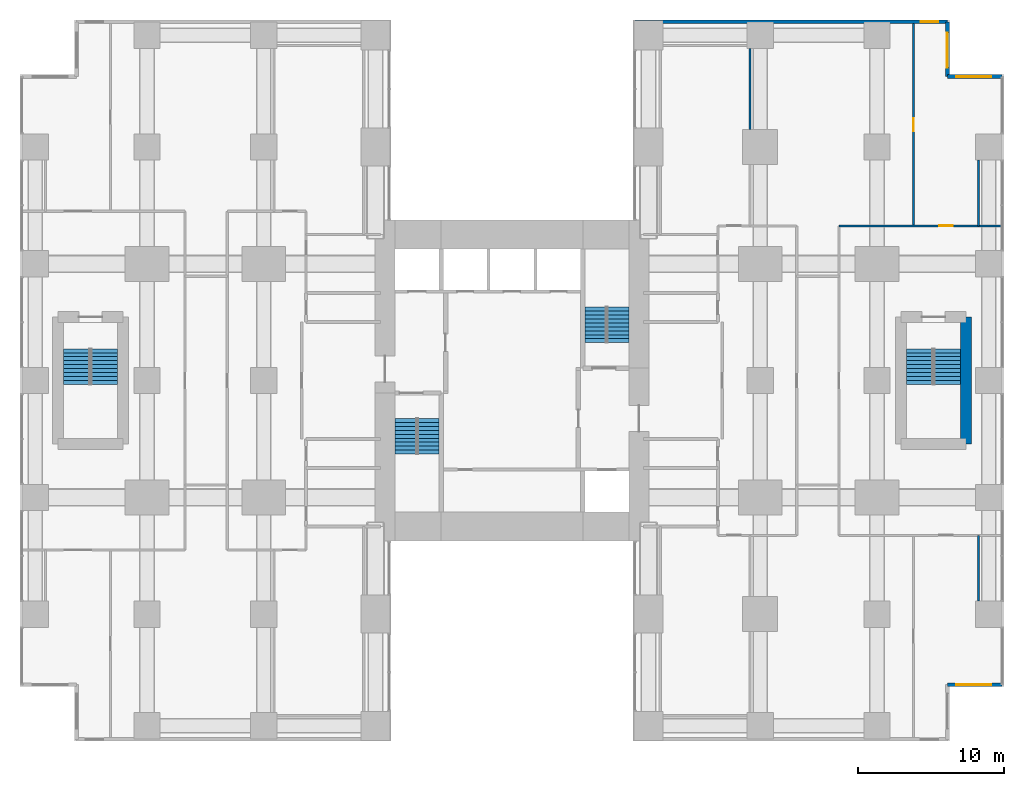
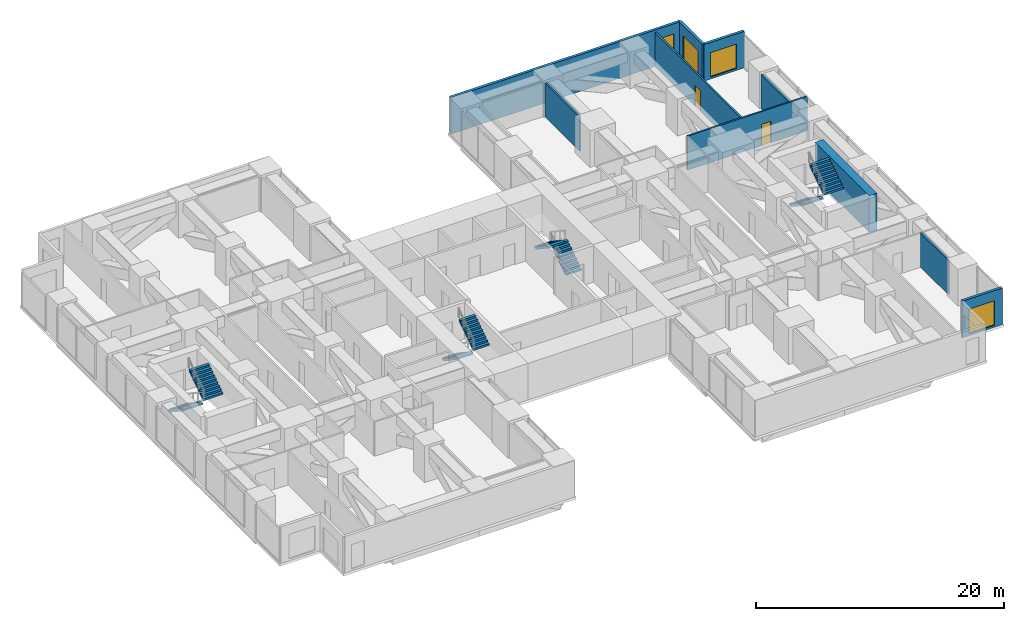
# One storey, part 13 of 14: 10 walls, 8 stair flights, 4 windows, 2 doors, 6 openings, 4 elements without a shape of their own.
"""IFC4 building model written with IfcOpenShell, lengths in metres."""

from ifc_helpers import new_model, si_unit, direction, frame, frame_2d, origin, place, context, subcontext, project, spatial, polyline, rectangle, outline, extrude, material, layer, layer_set, type_object, element, fill, aggregate, save


model = new_model("IFC4")

# Units and contexts
model_context = context("Model", 3, precision=1e-05, world=origin(), true_north=direction((0.0, 1.0)))
body_context = subcontext(model_context, "Body", "Model", "MODEL_VIEW")
ifc_project = project(units=[si_unit("LENGTHUNIT", "METRE"), si_unit("AREAUNIT", "SQUARE_METRE"), si_unit("VOLUMEUNIT", "CUBIC_METRE"), si_unit("PLANEANGLEUNIT", "RADIAN"), si_unit("MASSUNIT", "GRAM", prefix="KILO")], contexts=[model_context])

# Site, building, storey
site_placement = place(None, origin())
site = spatial("IfcSite", under=ifc_project, at=site_placement, CompositionType="ELEMENT")
building_placement = place(site_placement, origin())
building = spatial("IfcBuilding", under=site, at=building_placement, Name="Cleftline Residences", CompositionType="ELEMENT")
storey_placement = place(building_placement, frame((0.0, 0.0, 200.199951171875)))
storey = spatial("IfcBuildingStorey", under=building, at=storey_placement, Name="L52", CompositionType="ELEMENT", Elevation=200.199951171875)

# Wall, opening, window
ifc_material_1 = material(Name="Rendered reinforced concrete blockwork", Category="masonry")
ifc_layer_1 = layer(ifc_material_1, 0.25)
ifc_layer_set_1 = layer_set([ifc_layer_1], Name="EXTERNAL WALL 250")
wall_type_1 = type_object("IfcWallType", Name="EXTERNAL WALL 250", PredefinedType="SOLIDWALL", material=ifc_layer_set_1)
wall_1_placement = place(storey_placement, frame((62.824951171875, 3.175048828125, 0.0), z_axis=(0.0, 0.0, 1.0), x_axis=(1.0, 0.0, 0.0)))
wall_1 = element("IfcWall", 1, at=wall_1_placement, inside=storey, type_object=wall_type_1, Name="External wall", PredefinedType="SOLIDWALL", context=body_context, shape_type="SweptSolid", body=[
    extrude(rectangle(XDim=3.75, YDim=0.25, at=frame_2d((1.875, 0.0))), origin(), (0.0, 0.0, 1.0), 3.60009765625),
])
opening_1_placement = place(wall_1_placement, frame((0.612548828125, 0.0, 0.199951171875)))
opening_1 = element("IfcOpeningElement", 2, at=opening_1_placement, cuts=wall_1, Name="Opening W9", PredefinedType="OPENING", context=body_context, shape_type="SweptSolid", body=[
    extrude(rectangle(XDim=2.39990234375, YDim=2.39990234375, at=frame_2d((1.199951171875, 1.199951171875))), frame((0.0, 0.135009765625, 0.0), z_axis=(0.0, -1.0, 0.0), x_axis=(1.0, 0.0, 0.0)), (0.0, 0.0, 1.0), 0.27001953125),
])
ifc_material_2 = material(Name="Aluminium frame, clear double glazing", Category="aluminium")
window_type_1 = type_object("IfcWindowType", Name="WINDOW 2400X2400", PartitioningType="DOUBLE_PANEL_VERTICAL", PredefinedType="WINDOW", material=ifc_material_2)
window_1_placement = place(opening_1_placement, origin())
window_1 = element("IfcWindow", 3, at=window_1_placement, inside=storey, type_object=window_type_1, Name="Window", OverallHeight=2.39990234375, OverallWidth=2.39990234375, PartitioningType="SINGLE_PANEL", PredefinedType="WINDOW", context=body_context, shape_type="SweptSolid", body=[
    extrude(rectangle(XDim=2.39990234375, YDim=2.39990234375, at=frame_2d((1.199951171875, 1.199951171875))), frame((0.0, 0.030029296875, 0.0), z_axis=(0.0, -1.0, 0.0), x_axis=(1.0, 0.0, 0.0)), (0.0, 0.0, 1.0), 0.06005859375),
])
fill(opening_1, window_1)

wall_2_placement = place(storey_placement, frame((66.574951171875, 44.824951171875, 0.0), z_axis=(0.0, 0.0, 1.0), x_axis=(-1.0, 0.0, 0.0)))
wall_2 = element("IfcWall", 4, at=wall_2_placement, inside=storey, type_object=wall_type_1, Name="External wall", PredefinedType="SOLIDWALL", context=body_context, shape_type="SweptSolid", body=[
    extrude(rectangle(XDim=3.75, YDim=0.25, at=frame_2d((1.875, 0.0))), origin(), (0.0, 0.0, 1.0), 3.60009765625),
])
opening_2_placement = place(wall_2_placement, frame((0.737548828125, 0.0, 0.199951171875)))
opening_2 = element("IfcOpeningElement", 5, at=opening_2_placement, cuts=wall_2, Name="Opening W9", PredefinedType="OPENING", context=body_context, shape_type="SweptSolid", body=[
    extrude(rectangle(XDim=2.39990234375, YDim=2.39990234375, at=frame_2d((1.199951171875, 1.199951171875))), frame((0.0, 0.135009765625, 0.0), z_axis=(0.0, -1.0, 0.0), x_axis=(1.0, 0.0, 0.0)), (0.0, 0.0, 1.0), 0.27001953125),
])
window_2_placement = place(opening_2_placement, origin())
window_2 = element("IfcWindow", 6, at=window_2_placement, inside=storey, type_object=window_type_1, Name="Window", OverallHeight=2.39990234375, OverallWidth=2.39990234375, PartitioningType="SINGLE_PANEL", PredefinedType="WINDOW", context=body_context, shape_type="SweptSolid", body=[
    extrude(rectangle(XDim=2.39990234375, YDim=2.39990234375, at=frame_2d((1.199951171875, 1.199951171875))), frame((0.0, 0.030029296875, 0.0), z_axis=(0.0, -1.0, 0.0), x_axis=(1.0, 0.0, 0.0)), (0.0, 0.0, 1.0), 0.06005859375),
])
fill(opening_2, window_2)

wall_3_placement = place(storey_placement, frame((62.824951171875, 44.824951171875, 0.0), z_axis=(0.0, 0.0, 1.0), x_axis=(0.0, 1.0, 0.0)))
wall_3 = element("IfcWall", 7, at=wall_3_placement, inside=storey, type_object=wall_type_1, Name="External wall", PredefinedType="SOLIDWALL", context=body_context, shape_type="SweptSolid", body=[
    extrude(rectangle(XDim=3.75, YDim=0.25, at=frame_2d((1.875, 0.0))), origin(), (0.0, 0.0, 1.0), 3.60009765625),
])
opening_3_placement = place(wall_3_placement, frame((0.612548828125, 0.0, 0.199951171875)))
opening_3 = element("IfcOpeningElement", 8, at=opening_3_placement, cuts=wall_3, Name="Opening W9", PredefinedType="OPENING", context=body_context, shape_type="SweptSolid", body=[
    extrude(rectangle(XDim=2.39990234375, YDim=2.39990234375, at=frame_2d((1.199951171875, 1.199951171875))), frame((0.0, 0.135009765625, 0.0), z_axis=(0.0, -1.0, 0.0), x_axis=(1.0, 0.0, 0.0)), (0.0, 0.0, 1.0), 0.27001953125),
])
window_3_placement = place(opening_3_placement, origin())
window_3 = element("IfcWindow", 9, at=window_3_placement, inside=storey, type_object=window_type_1, Name="Window", OverallHeight=2.39990234375, OverallWidth=2.39990234375, PartitioningType="SINGLE_PANEL", PredefinedType="WINDOW", context=body_context, shape_type="SweptSolid", body=[
    extrude(rectangle(XDim=2.39990234375, YDim=2.39990234375, at=frame_2d((1.199951171875, 1.199951171875))), frame((0.0, 0.030029296875, 0.0), z_axis=(0.0, -1.0, 0.0), x_axis=(1.0, 0.0, 0.0)), (0.0, 0.0, 1.0), 0.06005859375),
])
fill(opening_3, window_3)

wall_4_placement = place(storey_placement, frame((62.824951171875, 48.574951171875, 0.0), z_axis=(0.0, 0.0, 1.0), x_axis=(-1.0, 0.0, 0.0)))
wall_4 = element("IfcWall", 10, at=wall_4_placement, inside=storey, type_object=wall_type_1, Name="External wall", PredefinedType="SOLIDWALL", context=body_context, shape_type="SweptSolid", body=[
    extrude(rectangle(XDim=21.39990234375, YDim=0.25, at=frame_2d((10.699951171875, 0.0))), origin(), (0.0, 0.0, 1.0), 3.60009765625),
])
opening_4_placement = place(wall_4_placement, frame((0.625, 0.0, 0.199951171875)))
opening_4 = element("IfcOpeningElement", 11, at=opening_4_placement, cuts=wall_4, Name="Opening W13", PredefinedType="OPENING", context=body_context, shape_type="SweptSolid", body=[
    extrude(rectangle(XDim=1.199951171875, YDim=2.39990234375, at=frame_2d((0.60009765625, 1.199951171875))), frame((0.0, 0.135009765625, 0.0), z_axis=(0.0, -1.0, 0.0), x_axis=(1.0, 0.0, 0.0)), (0.0, 0.0, 1.0), 0.27001953125),
])
ifc_material_3 = material(Name="Aluminium frame, clear double glazing", Category="aluminium")
window_type_2 = type_object("IfcWindowType", Name="WINDOW 1200X2400", PartitioningType="DOUBLE_PANEL_VERTICAL", PredefinedType="WINDOW", material=ifc_material_3)
window_4_placement = place(opening_4_placement, origin())
window_4 = element("IfcWindow", 12, at=window_4_placement, inside=storey, type_object=window_type_2, Name="Window", OverallHeight=2.39990234375, OverallWidth=1.199951171875, PartitioningType="SINGLE_PANEL", PredefinedType="WINDOW", context=body_context, shape_type="SweptSolid", body=[
    extrude(rectangle(XDim=1.199951171875, YDim=2.39990234375, at=frame_2d((0.60009765625, 1.199951171875))), frame((0.0, 0.030029296875, 0.0), z_axis=(0.0, -1.0, 0.0), x_axis=(1.0, 0.0, 0.0)), (0.0, 0.0, 1.0), 0.06005859375),
])
fill(opening_4, window_4)

# Wall, opening, door
ifc_material_4 = material(Name="Gypsum board on steel studs", Category="steel")
ifc_layer_2 = layer(ifc_material_4, 0.14990234375)
ifc_layer_set_2 = layer_set([ifc_layer_2], Name="PARTITION 150")
wall_type_2 = type_object("IfcWallType", Name="PARTITION 150", PredefinedType="PARTITIONING", material=ifc_layer_set_2)
wall_5_placement = place(storey_placement, frame((55.39990234375, 34.60009765625, 0.0), z_axis=(0.0, 0.0, 1.0), x_axis=(1.0, 0.0, 0.0)))
wall_5 = element("IfcWall", 13, at=wall_5_placement, inside=storey, type_object=wall_type_2, Name="Partition", PredefinedType="PARTITIONING", context=body_context, shape_type="SweptSolid", body=[
    extrude(rectangle(XDim=11.1611328125, YDim=0.14990234375, at=frame_2d((5.58056640625, 0.0))), origin(), (0.0, 0.0, 1.0), 3.35009765625),
])
opening_5_placement = place(wall_5_placement, frame((6.8798828125, 0.0, 0.0)))
opening_5 = element("IfcOpeningElement", 14, at=opening_5_placement, cuts=wall_5, Name="Opening D1", PredefinedType="OPENING", context=body_context, shape_type="SweptSolid", body=[
    extrude(rectangle(XDim=0.89990234375, YDim=2.10009765625, at=frame_2d((0.449951171875, 1.050048828125))), frame((0.0, 0.0849609375, 0.0), z_axis=(0.0, -1.0, 0.0), x_axis=(1.0, 0.0, 0.0)), (0.0, 0.0, 1.0), 0.169921875),
])
ifc_material_5 = material(Name="Timber veneer on solid core", Category="wood")
door_type = type_object("IfcDoorType", Name="DOOR 900X2100", OperationType="SINGLE_SWING_LEFT", PredefinedType="DOOR", material=ifc_material_5)
door_1_placement = place(opening_5_placement, origin())
door_1 = element("IfcDoor", 15, at=door_1_placement, inside=storey, type_object=door_type, Name="Door to piano room", OperationType="SINGLE_SWING_LEFT", OverallHeight=2.10009765625, OverallWidth=0.89990234375, PredefinedType="DOOR", context=body_context, shape_type="SweptSolid", body=[
    extrude(rectangle(XDim=0.89990234375, YDim=2.10009765625, at=frame_2d((0.449951171875, 1.050048828125))), frame((0.0, 0.02490234375, 0.0), z_axis=(0.0, -1.0, 0.0), x_axis=(1.0, 0.0, 0.0)), (0.0, 0.0, 1.0), 0.050048828125),
])
fill(opening_5, door_1)

# Wall
wall_6_placement = place(storey_placement, frame((49.300048828125, 41.199951171875, 0.0), z_axis=(0.0, 0.0, 1.0), x_axis=(0.0, 1.0, 0.0)))
element("IfcWall", 16, at=wall_6_placement, inside=storey, type_object=wall_type_2, Name="Partition", PredefinedType="PARTITIONING", context=body_context, shape_type="SweptSolid", body=[
    extrude(rectangle(XDim=5.550048828125, YDim=0.14990234375, at=frame_2d((2.77490234375, 0.0))), origin(), (0.0, 0.0, 1.0), 3.35009765625),
])

# Wall, opening, door
wall_7_placement = place(storey_placement, frame((60.5, 34.60009765625, 0.0), z_axis=(0.0, 0.0, 1.0), x_axis=(0.0, 1.0, 0.0)))
wall_7 = element("IfcWall", 17, at=wall_7_placement, inside=storey, type_object=wall_type_2, Name="Partition", PredefinedType="PARTITIONING", context=body_context, shape_type="SweptSolid", body=[
    extrude(rectangle(XDim=13.849853515625, YDim=0.14990234375, at=frame_2d((6.9248046875, 0.0))), origin(), (0.0, 0.0, 1.0), 3.35009765625),
])
opening_6_placement = place(wall_7_placement, frame((6.47998046875, 0.0, 0.0)))
opening_6 = element("IfcOpeningElement", 18, at=opening_6_placement, cuts=wall_7, Name="Opening D1", PredefinedType="OPENING", context=body_context, shape_type="SweptSolid", body=[
    extrude(rectangle(XDim=0.89990234375, YDim=2.10009765625, at=frame_2d((0.449951171875, 1.050048828125))), frame((0.0, 0.0849609375, 0.0), z_axis=(0.0, -1.0, 0.0), x_axis=(1.0, 0.0, 0.0)), (0.0, 0.0, 1.0), 0.169921875),
])
door_2_placement = place(opening_6_placement, origin())
door_2 = element("IfcDoor", 19, at=door_2_placement, inside=storey, type_object=door_type, Name="Door to lounge pantry", OperationType="SINGLE_SWING_LEFT", OverallHeight=2.10009765625, OverallWidth=0.89990234375, PredefinedType="DOOR", context=body_context, shape_type="SweptSolid", body=[
    extrude(rectangle(XDim=0.89990234375, YDim=2.10009765625, at=frame_2d((0.449951171875, 1.050048828125))), frame((0.0, 0.02490234375, 0.0), z_axis=(0.0, -1.0, 0.0), x_axis=(1.0, 0.0, 0.0)), (0.0, 0.0, 1.0), 0.050048828125),
])
fill(opening_6, door_2)

# Walls
for number, where, z_axis, x_axis, name in (
    (20, (64.949951171875, 8.89990234375, 0.0), (0.0, 0.0, 1.0), (0.0, 1.0, 0.0), "Partition"),
    (21, (64.949951171875, 34.60009765625, 0.0), (0.0, 0.0, 1.0), (0.0, 1.0, 0.0), "Partition"),
):
    element("IfcWall", number, at=place(storey_placement, frame(where, z_axis=z_axis, x_axis=x_axis)), inside=storey, type_object=wall_type_2, Name=name, PredefinedType="PARTITIONING", context=body_context, shape_type="SweptSolid", body=[
        extrude(rectangle(XDim=4.5, YDim=0.14990234375, at=frame_2d((2.25, 0.0))), origin(), (0.0, 0.0, 1.0), 3.35009765625),
    ])
ifc_material_6 = material(Name="Concrete B70", Category="concrete")
ifc_layer_3 = layer(ifc_material_6, 0.75)
ifc_layer_set_3 = layer_set([ifc_layer_3], Name="SHEAR WALL 750")
wall_type_3 = type_object("IfcWallType", Name="SHEAR WALL 750", PredefinedType="SHEAR", material=ifc_layer_set_3)
wall_8_placement = place(storey_placement, frame((64.10009765625, 19.64990234375, 0.0), z_axis=(0.0, 0.0, 1.0), x_axis=(0.0, 1.0, 0.0)))
element("IfcWall", 22, at=wall_8_placement, inside=storey, type_object=wall_type_3, Name="Wing shear wall", PredefinedType="SHEAR", context=body_context, shape_type="SweptSolid", body=[
    extrude(rectangle(XDim=8.7001953125, YDim=0.75, at=frame_2d((4.35009765625, 0.0))), origin(), (0.0, 0.0, 1.0), 3.60009765625),
])

# Stair, stair flights
ifc_material_7 = material(Name="Concrete B45, stone treads", Category="masonry")
stair_type_1 = type_object("IfcStairType", Name="STAIR A 1450 WIDE 180 RISER", PredefinedType="HALF_TURN_STAIR", material=ifc_material_7)
stair_1_placement = place(storey_placement, origin())
stair_1 = element("IfcStair", 23, at=stair_1_placement, inside=storey, type_object=stair_type_1, Name="Stair A L52", PredefinedType="HALF_TURN_STAIR")
ifc_material_8 = material(Name="Concrete B45", Category="concrete")
stair_flight_type_1 = type_object("IfcStairFlightType", Name="STAIR A FLIGHT 1450X180", PredefinedType="STRAIGHT", material=ifc_material_8)
stair_flight_1_placement = place(storey_placement, frame((25.72509765625, 21.39990234375, 0.0), z_axis=(0.0, 0.0, 1.0), x_axis=(0.0, -1.0, 0.0)))
stair_flight_1 = element("IfcStairFlight", 24, at=stair_flight_1_placement, type_object=stair_flight_type_1, Name="ST-A flight 1", NumberOfRisers=10, NumberOfTreads=9, PredefinedType="STRAIGHT", RiserHeight=0.18, TreadLength=0.27, context=body_context, shape_type="SweptSolid", body=[
    extrude(outline(polyline([(0.0, 0.0), (0.0, 0.013916015625), (0.0, 0.027587890625), (0.0, 0.04150390625), (0.0, 0.055419921875), (0.0, 0.0693359375), (0.0, 0.0830078125), (0.0, 0.096923828125), (0.0, 0.11083984375), (0.0, 0.12451171875), (0.0, 0.138427734375), (0.0, 0.15234375), (0.0, 0.166259765625), (0.0, 0.179931640625), (0.27001953125, 0.179931640625), (0.27001953125, 0.360107421875), (0.5400390625, 0.360107421875), (0.5400390625, 0.5400390625), (0.81005859375, 0.5400390625), (0.81005859375, 0.719970703125), (1.080078125, 0.719970703125), (1.080078125, 0.89990234375), (1.35009765625, 0.89990234375), (1.35009765625, 1.080078125), (1.6201171875, 1.080078125), (1.6201171875, 1.260009765625), (1.889892578125, 1.260009765625), (1.889892578125, 1.43994140625), (2.159912109375, 1.43994140625), (2.159912109375, 1.6201171875), (2.429931640625, 1.6201171875), (2.429931640625, 1.800048828125), (2.429931640625, 1.772216796875), (2.429931640625, 1.74462890625), (2.429931640625, 1.716796875), (2.429931640625, 1.689208984375), (2.429931640625, 1.661376953125), (2.429931640625, 1.6337890625), (2.429931640625, 1.60595703125), (2.429931640625, 1.578369140625), (2.429931640625, 1.550537109375), (2.429931640625, 1.52294921875), (2.429931640625, 1.495361328125), (2.429931640625, 1.467529296875), (2.429931640625, 1.43994140625), (0.270263671875, 0.0), (0.0, 0.0)])), frame((0.0, 0.72509765625, 0.0), z_axis=(0.0, -1.0, 0.0), x_axis=(1.0, 0.0, 0.0)), (0.0, 0.0, 1.0), 1.449951171875),
])
stair_flight_2_placement = place(storey_placement, frame((27.27490234375, 18.969970703125, 1.800048828125), z_axis=(0.0, 0.0, 1.0), x_axis=(0.0, 1.0, 0.0)))
stair_flight_2 = element("IfcStairFlight", 25, at=stair_flight_2_placement, type_object=stair_flight_type_1, Name="ST-A flight 2", NumberOfRisers=10, NumberOfTreads=9, PredefinedType="STRAIGHT", RiserHeight=0.18, TreadLength=0.27, context=body_context, shape_type="SweptSolid", body=[
    extrude(outline(polyline([(0.0, 0.0), (0.0, 0.013916015625), (0.0, 0.027587890625), (0.0, 0.04150390625), (0.0, 0.055419921875), (0.0, 0.0693359375), (0.0, 0.0830078125), (0.0, 0.096923828125), (0.0, 0.11083984375), (0.0, 0.12451171875), (0.0, 0.138427734375), (0.0, 0.15234375), (0.0, 0.166259765625), (0.0, 0.179931640625), (0.27001953125, 0.179931640625), (0.27001953125, 0.360107421875), (0.5400390625, 0.360107421875), (0.5400390625, 0.5400390625), (0.81005859375, 0.5400390625), (0.81005859375, 0.719970703125), (1.080078125, 0.719970703125), (1.080078125, 0.89990234375), (1.35009765625, 0.89990234375), (1.35009765625, 1.080078125), (1.6201171875, 1.080078125), (1.6201171875, 1.260009765625), (1.889892578125, 1.260009765625), (1.889892578125, 1.43994140625), (2.159912109375, 1.43994140625), (2.159912109375, 1.6201171875), (2.429931640625, 1.6201171875), (2.429931640625, 1.800048828125), (2.429931640625, 1.772216796875), (2.429931640625, 1.74462890625), (2.429931640625, 1.716796875), (2.429931640625, 1.689208984375), (2.429931640625, 1.661376953125), (2.429931640625, 1.6337890625), (2.429931640625, 1.60595703125), (2.429931640625, 1.578369140625), (2.429931640625, 1.550537109375), (2.429931640625, 1.52294921875), (2.429931640625, 1.495361328125), (2.429931640625, 1.467529296875), (2.429931640625, 1.43994140625), (0.270263671875, 0.0), (0.0, 0.0)])), frame((0.0, 0.72509765625, 0.0), z_axis=(0.0, -1.0, 0.0), x_axis=(1.0, 0.0, 0.0)), (0.0, 0.0, 1.0), 1.449951171875),
])
aggregate(stair_1, [stair_flight_1, stair_flight_2])

ifc_material_9 = material(Name="Concrete B45, stone treads", Category="masonry")
stair_type_2 = type_object("IfcStairType", Name="STAIR B 1450 WIDE 180 RISER", PredefinedType="HALF_TURN_STAIR", material=ifc_material_9)
stair_2_placement = place(storey_placement, origin())
stair_2 = element("IfcStair", 26, at=stair_2_placement, inside=storey, type_object=stair_type_2, Name="Stair B L52", PredefinedType="HALF_TURN_STAIR")
ifc_material_10 = material(Name="Concrete B45", Category="concrete")
stair_flight_type_2 = type_object("IfcStairFlightType", Name="STAIR B FLIGHT 1450X180", PredefinedType="STRAIGHT", material=ifc_material_10)
stair_flight_3_placement = place(storey_placement, frame((40.27490234375, 26.60009765625, 0.0), z_axis=(0.0, 0.0, 1.0), x_axis=(0.0, 1.0, 0.0)))
stair_flight_3 = element("IfcStairFlight", 27, at=stair_flight_3_placement, type_object=stair_flight_type_2, Name="ST-B flight 1", NumberOfRisers=10, NumberOfTreads=9, PredefinedType="STRAIGHT", RiserHeight=0.18, TreadLength=0.27, context=body_context, shape_type="SweptSolid", body=[
    extrude(outline(polyline([(0.0, 0.0), (0.0, 0.013916015625), (0.0, 0.027587890625), (0.0, 0.04150390625), (0.0, 0.055419921875), (0.0, 0.0693359375), (0.0, 0.0830078125), (0.0, 0.096923828125), (0.0, 0.11083984375), (0.0, 0.12451171875), (0.0, 0.138427734375), (0.0, 0.15234375), (0.0, 0.166259765625), (0.0, 0.179931640625), (0.27001953125, 0.179931640625), (0.27001953125, 0.360107421875), (0.5400390625, 0.360107421875), (0.5400390625, 0.5400390625), (0.81005859375, 0.5400390625), (0.81005859375, 0.719970703125), (1.080078125, 0.719970703125), (1.080078125, 0.89990234375), (1.35009765625, 0.89990234375), (1.35009765625, 1.080078125), (1.6201171875, 1.080078125), (1.6201171875, 1.260009765625), (1.889892578125, 1.260009765625), (1.889892578125, 1.43994140625), (2.159912109375, 1.43994140625), (2.159912109375, 1.6201171875), (2.429931640625, 1.6201171875), (2.429931640625, 1.800048828125), (2.429931640625, 1.772216796875), (2.429931640625, 1.74462890625), (2.429931640625, 1.716796875), (2.429931640625, 1.689208984375), (2.429931640625, 1.661376953125), (2.429931640625, 1.6337890625), (2.429931640625, 1.60595703125), (2.429931640625, 1.578369140625), (2.429931640625, 1.550537109375), (2.429931640625, 1.52294921875), (2.429931640625, 1.495361328125), (2.429931640625, 1.467529296875), (2.429931640625, 1.43994140625), (0.270263671875, 0.0), (0.0, 0.0)])), frame((0.0, 0.72509765625, 0.0), z_axis=(0.0, -1.0, 0.0), x_axis=(1.0, 0.0, 0.0)), (0.0, 0.0, 1.0), 1.449951171875),
])
stair_flight_4_placement = place(storey_placement, frame((38.72509765625, 29.030029296875, 1.800048828125), z_axis=(0.0, 0.0, 1.0), x_axis=(0.0, -1.0, 0.0)))
stair_flight_4 = element("IfcStairFlight", 28, at=stair_flight_4_placement, type_object=stair_flight_type_2, Name="ST-B flight 2", NumberOfRisers=10, NumberOfTreads=9, PredefinedType="STRAIGHT", RiserHeight=0.18, TreadLength=0.27, context=body_context, shape_type="SweptSolid", body=[
    extrude(outline(polyline([(0.0, 0.0), (0.0, 0.013916015625), (0.0, 0.027587890625), (0.0, 0.04150390625), (0.0, 0.055419921875), (0.0, 0.0693359375), (0.0, 0.0830078125), (0.0, 0.096923828125), (0.0, 0.11083984375), (0.0, 0.12451171875), (0.0, 0.138427734375), (0.0, 0.15234375), (0.0, 0.166259765625), (0.0, 0.179931640625), (0.27001953125, 0.179931640625), (0.27001953125, 0.360107421875), (0.5400390625, 0.360107421875), (0.5400390625, 0.5400390625), (0.81005859375, 0.5400390625), (0.81005859375, 0.719970703125), (1.080078125, 0.719970703125), (1.080078125, 0.89990234375), (1.35009765625, 0.89990234375), (1.35009765625, 1.080078125), (1.6201171875, 1.080078125), (1.6201171875, 1.260009765625), (1.889892578125, 1.260009765625), (1.889892578125, 1.43994140625), (2.159912109375, 1.43994140625), (2.159912109375, 1.6201171875), (2.429931640625, 1.6201171875), (2.429931640625, 1.800048828125), (2.429931640625, 1.772216796875), (2.429931640625, 1.74462890625), (2.429931640625, 1.716796875), (2.429931640625, 1.689208984375), (2.429931640625, 1.661376953125), (2.429931640625, 1.6337890625), (2.429931640625, 1.60595703125), (2.429931640625, 1.578369140625), (2.429931640625, 1.550537109375), (2.429931640625, 1.52294921875), (2.429931640625, 1.495361328125), (2.429931640625, 1.467529296875), (2.429931640625, 1.43994140625), (0.270263671875, 0.0), (0.0, 0.0)])), frame((0.0, 0.72509765625, 0.0), z_axis=(0.0, -1.0, 0.0), x_axis=(1.0, 0.0, 0.0)), (0.0, 0.0, 1.0), 1.449951171875),
])
aggregate(stair_2, [stair_flight_3, stair_flight_4])

ifc_material_11 = material(Name="Concrete B45, stone treads", Category="masonry")
stair_type_3 = type_object("IfcStairType", Name="STAIR E 1800 WIDE 180 RISER", PredefinedType="HALF_TURN_STAIR", material=ifc_material_11)
stair_3_placement = place(storey_placement, origin())
stair_3 = element("IfcStair", 29, at=stair_3_placement, inside=storey, type_object=stair_type_3, Name="Stair E L52", PredefinedType="HALF_TURN_STAIR")
ifc_material_12 = material(Name="Concrete B45", Category="concrete")
stair_flight_type_3 = type_object("IfcStairFlightType", Name="STAIR E FLIGHT 1800X180", PredefinedType="STRAIGHT", material=ifc_material_12)
stair_flight_5_placement = place(storey_placement, frame((60.925048828125, 26.175048828125, 0.0), z_axis=(0.0, 0.0, 1.0), x_axis=(0.0, -1.0, 0.0)))
stair_flight_5 = element("IfcStairFlight", 30, at=stair_flight_5_placement, type_object=stair_flight_type_3, Name="ST-E flight 1", NumberOfRisers=10, NumberOfTreads=9, PredefinedType="STRAIGHT", RiserHeight=0.18, TreadLength=0.27, context=body_context, shape_type="SweptSolid", body=[
    extrude(outline(polyline([(0.0, 0.0), (0.0, 0.013916015625), (0.0, 0.027587890625), (0.0, 0.04150390625), (0.0, 0.055419921875), (0.0, 0.0693359375), (0.0, 0.0830078125), (0.0, 0.096923828125), (0.0, 0.11083984375), (0.0, 0.12451171875), (0.0, 0.138427734375), (0.0, 0.15234375), (0.0, 0.166259765625), (0.0, 0.179931640625), (0.27001953125, 0.179931640625), (0.27001953125, 0.360107421875), (0.5400390625, 0.360107421875), (0.5400390625, 0.5400390625), (0.81005859375, 0.5400390625), (0.81005859375, 0.719970703125), (1.080078125, 0.719970703125), (1.080078125, 0.89990234375), (1.35009765625, 0.89990234375), (1.35009765625, 1.080078125), (1.6201171875, 1.080078125), (1.6201171875, 1.260009765625), (1.889892578125, 1.260009765625), (1.889892578125, 1.43994140625), (2.159912109375, 1.43994140625), (2.159912109375, 1.6201171875), (2.429931640625, 1.6201171875), (2.429931640625, 1.800048828125), (2.429931640625, 1.772216796875), (2.429931640625, 1.74462890625), (2.429931640625, 1.716796875), (2.429931640625, 1.689208984375), (2.429931640625, 1.661376953125), (2.429931640625, 1.6337890625), (2.429931640625, 1.60595703125), (2.429931640625, 1.578369140625), (2.429931640625, 1.550537109375), (2.429931640625, 1.52294921875), (2.429931640625, 1.495361328125), (2.429931640625, 1.467529296875), (2.429931640625, 1.43994140625), (0.270263671875, 0.0), (0.0, 0.0)])), frame((0.0, 0.89990234375, 0.0), z_axis=(0.0, -1.0, 0.0), x_axis=(1.0, 0.0, 0.0)), (0.0, 0.0, 1.0), 1.800048828125),
])
stair_flight_6_placement = place(storey_placement, frame((62.824951171875, 23.7451171875, 1.800048828125), z_axis=(0.0, 0.0, 1.0), x_axis=(0.0, 1.0, 0.0)))
stair_flight_6 = element("IfcStairFlight", 31, at=stair_flight_6_placement, type_object=stair_flight_type_3, Name="ST-E flight 2", NumberOfRisers=10, NumberOfTreads=9, PredefinedType="STRAIGHT", RiserHeight=0.18, TreadLength=0.27, context=body_context, shape_type="SweptSolid", body=[
    extrude(outline(polyline([(0.0, 0.0), (0.0, 0.013916015625), (0.0, 0.027587890625), (0.0, 0.04150390625), (0.0, 0.055419921875), (0.0, 0.0693359375), (0.0, 0.0830078125), (0.0, 0.096923828125), (0.0, 0.11083984375), (0.0, 0.12451171875), (0.0, 0.138427734375), (0.0, 0.15234375), (0.0, 0.166259765625), (0.0, 0.179931640625), (0.27001953125, 0.179931640625), (0.27001953125, 0.360107421875), (0.5400390625, 0.360107421875), (0.5400390625, 0.5400390625), (0.81005859375, 0.5400390625), (0.81005859375, 0.719970703125), (1.080078125, 0.719970703125), (1.080078125, 0.89990234375), (1.35009765625, 0.89990234375), (1.35009765625, 1.080078125), (1.6201171875, 1.080078125), (1.6201171875, 1.260009765625), (1.889892578125, 1.260009765625), (1.889892578125, 1.43994140625), (2.159912109375, 1.43994140625), (2.159912109375, 1.6201171875), (2.429931640625, 1.6201171875), (2.429931640625, 1.800048828125), (2.429931640625, 1.772216796875), (2.429931640625, 1.74462890625), (2.429931640625, 1.716796875), (2.429931640625, 1.689208984375), (2.429931640625, 1.661376953125), (2.429931640625, 1.6337890625), (2.429931640625, 1.60595703125), (2.429931640625, 1.578369140625), (2.429931640625, 1.550537109375), (2.429931640625, 1.52294921875), (2.429931640625, 1.495361328125), (2.429931640625, 1.467529296875), (2.429931640625, 1.43994140625), (0.270263671875, 0.0), (0.0, 0.0)])), frame((0.0, 0.89990234375, 0.0), z_axis=(0.0, -1.0, 0.0), x_axis=(1.0, 0.0, 0.0)), (0.0, 0.0, 1.0), 1.800048828125),
])
aggregate(stair_3, [stair_flight_5, stair_flight_6])

ifc_material_13 = material(Name="Concrete B45, stone treads", Category="masonry")
stair_type_4 = type_object("IfcStairType", Name="STAIR W 1800 WIDE 180 RISER", PredefinedType="HALF_TURN_STAIR", material=ifc_material_13)
stair_4_placement = place(storey_placement, origin())
stair_4 = element("IfcStair", 32, at=stair_4_placement, inside=storey, type_object=stair_type_4, Name="Stair W L52", PredefinedType="HALF_TURN_STAIR")
ifc_material_14 = material(Name="Concrete B45", Category="concrete")
stair_flight_type_4 = type_object("IfcStairFlightType", Name="STAIR W FLIGHT 1800X180", PredefinedType="STRAIGHT", material=ifc_material_14)
stair_flight_7_placement = place(storey_placement, frame((3.175048828125, 26.175048828125, 0.0), z_axis=(0.0, 0.0, 1.0), x_axis=(0.0, -1.0, 0.0)))
stair_flight_7 = element("IfcStairFlight", 33, at=stair_flight_7_placement, type_object=stair_flight_type_4, Name="ST-W flight 1", NumberOfRisers=10, NumberOfTreads=9, PredefinedType="STRAIGHT", RiserHeight=0.18, TreadLength=0.27, context=body_context, shape_type="SweptSolid", body=[
    extrude(outline(polyline([(0.0, 0.0), (0.0, 0.013916015625), (0.0, 0.027587890625), (0.0, 0.04150390625), (0.0, 0.055419921875), (0.0, 0.0693359375), (0.0, 0.0830078125), (0.0, 0.096923828125), (0.0, 0.11083984375), (0.0, 0.12451171875), (0.0, 0.138427734375), (0.0, 0.15234375), (0.0, 0.166259765625), (0.0, 0.179931640625), (0.27001953125, 0.179931640625), (0.27001953125, 0.360107421875), (0.5400390625, 0.360107421875), (0.5400390625, 0.5400390625), (0.81005859375, 0.5400390625), (0.81005859375, 0.719970703125), (1.080078125, 0.719970703125), (1.080078125, 0.89990234375), (1.35009765625, 0.89990234375), (1.35009765625, 1.080078125), (1.6201171875, 1.080078125), (1.6201171875, 1.260009765625), (1.889892578125, 1.260009765625), (1.889892578125, 1.43994140625), (2.159912109375, 1.43994140625), (2.159912109375, 1.6201171875), (2.429931640625, 1.6201171875), (2.429931640625, 1.800048828125), (2.429931640625, 1.772216796875), (2.429931640625, 1.74462890625), (2.429931640625, 1.716796875), (2.429931640625, 1.689208984375), (2.429931640625, 1.661376953125), (2.429931640625, 1.6337890625), (2.429931640625, 1.60595703125), (2.429931640625, 1.578369140625), (2.429931640625, 1.550537109375), (2.429931640625, 1.52294921875), (2.429931640625, 1.495361328125), (2.429931640625, 1.467529296875), (2.429931640625, 1.43994140625), (0.270263671875, 0.0), (0.0, 0.0)])), frame((0.0, 0.89990234375, 0.0), z_axis=(0.0, -1.0, 0.0), x_axis=(1.0, 0.0, 0.0)), (0.0, 0.0, 1.0), 1.800048828125),
])
stair_flight_8_placement = place(storey_placement, frame((5.074951171875, 23.7451171875, 1.800048828125), z_axis=(0.0, 0.0, 1.0), x_axis=(0.0, 1.0, 0.0)))
stair_flight_8 = element("IfcStairFlight", 34, at=stair_flight_8_placement, type_object=stair_flight_type_4, Name="ST-W flight 2", NumberOfRisers=10, NumberOfTreads=9, PredefinedType="STRAIGHT", RiserHeight=0.18, TreadLength=0.27, context=body_context, shape_type="SweptSolid", body=[
    extrude(outline(polyline([(0.0, 0.0), (0.0, 0.013916015625), (0.0, 0.027587890625), (0.0, 0.04150390625), (0.0, 0.055419921875), (0.0, 0.0693359375), (0.0, 0.0830078125), (0.0, 0.096923828125), (0.0, 0.11083984375), (0.0, 0.12451171875), (0.0, 0.138427734375), (0.0, 0.15234375), (0.0, 0.166259765625), (0.0, 0.179931640625), (0.27001953125, 0.179931640625), (0.27001953125, 0.360107421875), (0.5400390625, 0.360107421875), (0.5400390625, 0.5400390625), (0.81005859375, 0.5400390625), (0.81005859375, 0.719970703125), (1.080078125, 0.719970703125), (1.080078125, 0.89990234375), (1.35009765625, 0.89990234375), (1.35009765625, 1.080078125), (1.6201171875, 1.080078125), (1.6201171875, 1.260009765625), (1.889892578125, 1.260009765625), (1.889892578125, 1.43994140625), (2.159912109375, 1.43994140625), (2.159912109375, 1.6201171875), (2.429931640625, 1.6201171875), (2.429931640625, 1.800048828125), (2.429931640625, 1.772216796875), (2.429931640625, 1.74462890625), (2.429931640625, 1.716796875), (2.429931640625, 1.689208984375), (2.429931640625, 1.661376953125), (2.429931640625, 1.6337890625), (2.429931640625, 1.60595703125), (2.429931640625, 1.578369140625), (2.429931640625, 1.550537109375), (2.429931640625, 1.52294921875), (2.429931640625, 1.495361328125), (2.429931640625, 1.467529296875), (2.429931640625, 1.43994140625), (0.270263671875, 0.0), (0.0, 0.0)])), frame((0.0, 0.89990234375, 0.0), z_axis=(0.0, -1.0, 0.0), x_axis=(1.0, 0.0, 0.0)), (0.0, 0.0, 1.0), 1.800048828125),
])
aggregate(stair_4, [stair_flight_7, stair_flight_8])

save(model, "model.ifc")
